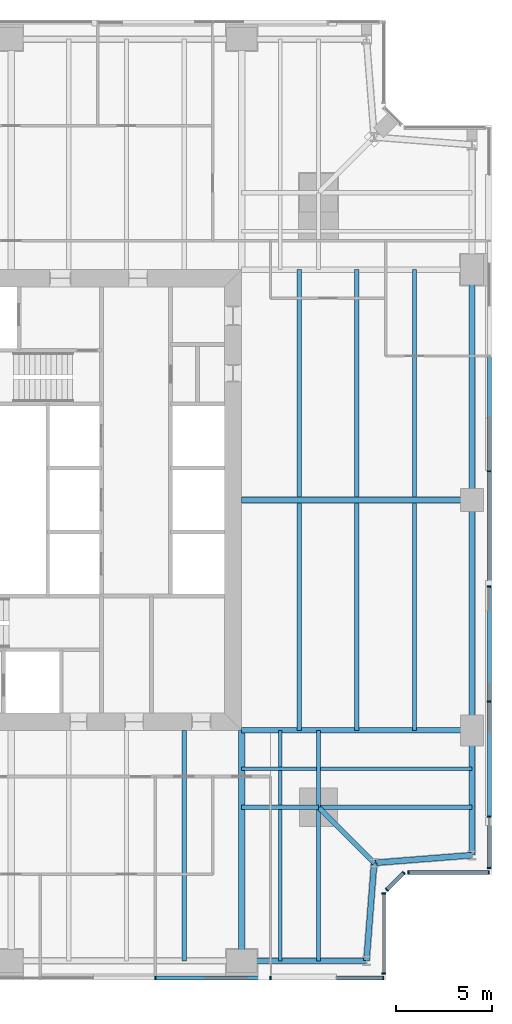
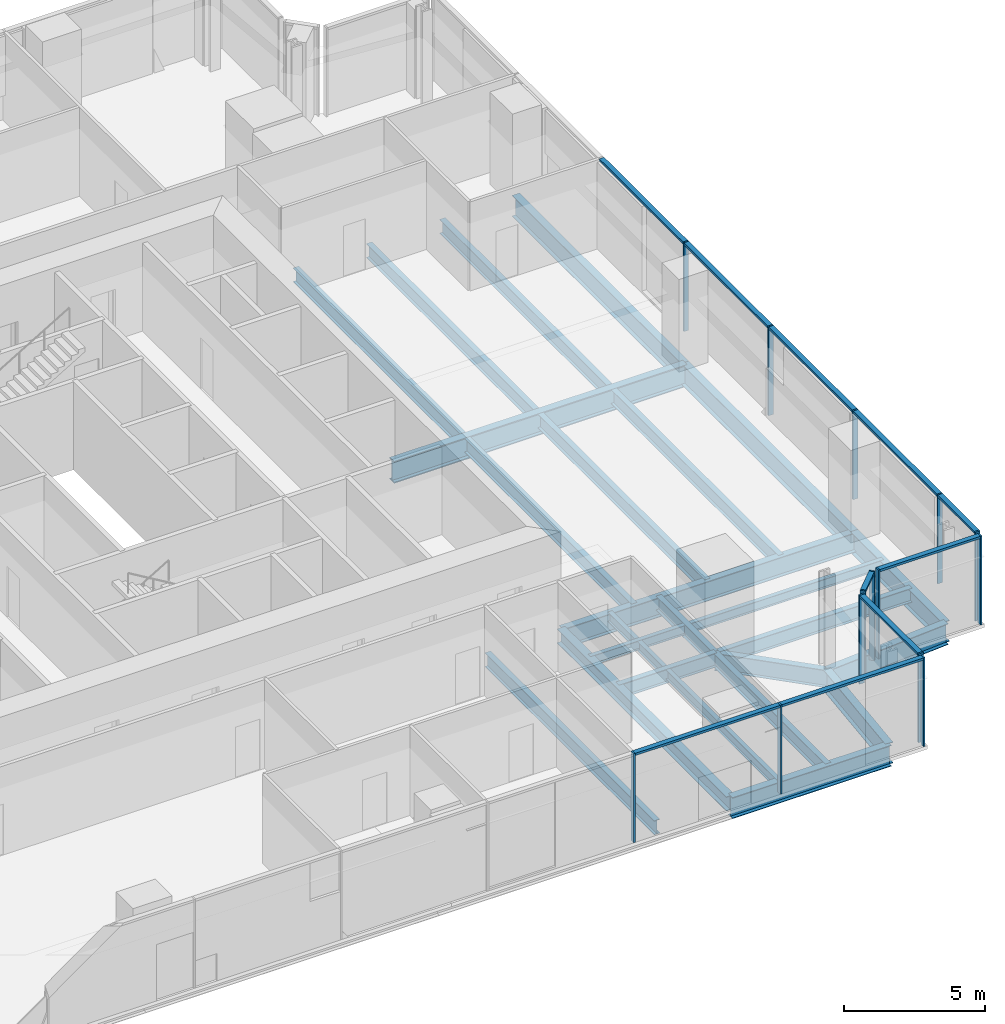
# One storey, part 5 of 14: 26 beams, 24 members, 5 elements without a shape of their own.
"""IFC4 building model written with IfcOpenShell, lengths in metres."""

from ifc_helpers import new_model, si_unit, direction, frame, origin, origin_2d, place, context, subcontext, project, spatial, rectangle, i_section, extrude, material, material_profile, profile_set, type_object, element, aggregate, save


model = new_model("IFC4")

# Units and contexts
model_context = context("Model", 3, precision=1e-05, world=origin(), true_north=direction((0.0, 1.0)))
body_context = subcontext(model_context, "Body", "Model", "MODEL_VIEW")
ifc_project = project(units=[si_unit("LENGTHUNIT", "METRE"), si_unit("AREAUNIT", "SQUARE_METRE"), si_unit("VOLUMEUNIT", "CUBIC_METRE"), si_unit("PLANEANGLEUNIT", "RADIAN"), si_unit("MASSUNIT", "GRAM", prefix="KILO")], contexts=[model_context])

# Site, building, storey
site_placement = place(None, origin())
site = spatial("IfcSite", under=ifc_project, at=site_placement, CompositionType="ELEMENT")
building_placement = place(site_placement, origin())
building = spatial("IfcBuilding", under=site, at=building_placement, Name="Fenwick Lantern Interchange", CompositionType="ELEMENT")
storey_placement = place(building_placement, frame((0.0, 0.0, 193.800048828125)))
storey = spatial("IfcBuildingStorey", under=building, at=storey_placement, Name="L45", CompositionType="ELEMENT", Elevation=193.800048828125)

# Beams
ifc_material_1 = material(Name="Steel ASTM A992 Grade 50", Category="steel")
ifc_material_profile_1 = material_profile(ifc_material_1, i_section(OverallWidth=0.3046875, OverallDepth=0.911865234375, WebThickness=0.015869140625, FlangeThickness=0.02392578125, at=origin_2d()), Name="W36X150")
ifc_profile_set_1 = profile_set([ifc_material_profile_1], Name="Steel ASTM A992 Grade 50")
beam_type_1 = type_object("IfcBeamType", Name="EDGE BEAM W36X150", PredefinedType="SPANDREL", material=ifc_profile_set_1)
beam_1_placement = place(storey_placement, frame((37.0, 1.0, -0.60595703125), z_axis=(1.0, 0.0, 0.0), x_axis=(0.0, 1.0, 0.0)))
element("IfcBeam", 1, at=beam_1_placement, inside=storey, type_object=beam_type_1, Name="L45/FR/S/EB4", PredefinedType="SPANDREL", context=body_context, shape_type="SweptSolid", body=[
    extrude(i_section(OverallWidth=0.3046875, OverallDepth=0.911865234375, WebThickness=0.015869140625, FlangeThickness=0.02392578125, at=origin_2d()), origin(), (0.0, 0.0, 1.0), 6.5),
])
for number, where, z_axis, x_axis, name in (
    (2, (43.5, 1.0, -0.60595703125), (0.078170784639, 0.99693998236, 0.0), (-0.99693998236, 0.078170784639, 0.0), "L45/FR/S/EBR1"),
    (3, (43.89990234375, 6.10009765625, -0.60595703125), (0.99693998236, 0.078170784639, 0.0), (-0.078170784639, 0.99693998236, 0.0), "L45/FR/S/EBR2"),
):
    element("IfcBeam", number, at=place(storey_placement, frame(where, z_axis=z_axis, x_axis=x_axis)), inside=storey, type_object=beam_type_1, Name=name, PredefinedType="SPANDREL", context=body_context, shape_type="SweptSolid", body=[
        extrude(i_section(OverallWidth=0.3046875, OverallDepth=0.911865234375, WebThickness=0.015869140625, FlangeThickness=0.02392578125, at=origin_2d()), origin(), (0.0, 0.0, 1.0), 5.11572265625),
    ])
beam_2_placement = place(storey_placement, frame((49.0, 6.5, -0.60595703125), z_axis=(0.0, 1.0, 0.0), x_axis=(-1.0, 0.0, 0.0)))
element("IfcBeam", 4, at=beam_2_placement, inside=storey, type_object=beam_type_1, Name="L45/FR/E/EB1", PredefinedType="SPANDREL", context=body_context, shape_type="SweptSolid", body=[
    extrude(i_section(OverallWidth=0.3046875, OverallDepth=0.911865234375, WebThickness=0.015869140625, FlangeThickness=0.02392578125, at=origin_2d()), origin(), (0.0, 0.0, 1.0), 6.5),
])
for number, where, z_axis, x_axis, name in (
    (5, (49.0, 13.0, -0.60595703125), (0.0, 1.0, 0.0), (-1.0, 0.0, 0.0), "L45/FR/E/EB2"),
    (6, (49.0, 25.0, -0.60595703125), (0.0, 1.0, 0.0), (-1.0, 0.0, 0.0), "L45/FR/E/EB3"),
):
    element("IfcBeam", number, at=place(storey_placement, frame(where, z_axis=z_axis, x_axis=x_axis)), inside=storey, type_object=beam_type_1, Name=name, PredefinedType="SPANDREL", context=body_context, shape_type="SweptSolid", body=[
        extrude(i_section(OverallWidth=0.3046875, OverallDepth=0.911865234375, WebThickness=0.015869140625, FlangeThickness=0.02392578125, at=origin_2d()), origin(), (0.0, 0.0, 1.0), 12.0),
    ])
ifc_material_profile_2 = material_profile(ifc_material_1, i_section(OverallWidth=0.22900390625, OverallDepth=0.612060546875, WebThickness=0.011962890625, FlangeThickness=0.01953125, at=origin_2d()), Name="W24X84")
ifc_profile_set_2 = profile_set([ifc_material_profile_2], Name="Steel ASTM A992 Grade 50")
beam_type_2 = type_object("IfcBeamType", Name="FLOOR BEAM W24X84", PredefinedType="BEAM", material=ifc_profile_set_2)
beam_3_placement = place(storey_placement, frame((34.0, 1.0, -0.4560546875), z_axis=(0.0, 1.0, 0.0), x_axis=(-1.0, 0.0, 0.0)))
element("IfcBeam", 7, at=beam_3_placement, inside=storey, type_object=beam_type_2, Name="L45/FR/S/R08", PredefinedType="BEAM", context=body_context, shape_type="SweptSolid", body=[
    extrude(i_section(OverallWidth=0.22900390625, OverallDepth=0.612060546875, WebThickness=0.011962890625, FlangeThickness=0.01953125, at=origin_2d()), origin(), (0.0, 0.0, 1.0), 12.0),
])
for number, where, z_axis, x_axis, name in (
    (8, (46.0, 13.0, -0.4560546875), (0.0, 1.0, 0.0), (-1.0, 0.0, 0.0), "L45/FR/E/B01"),
    (9, (43.0, 13.0, -0.4560546875), (0.0, 1.0, 0.0), (-1.0, 0.0, 0.0), "L45/FR/E/B02"),
    (10, (40.0, 13.0, -0.4560546875), (0.0, 1.0, 0.0), (-1.0, 0.0, 0.0), "L45/FR/E/B03"),
    (11, (46.0, 25.155029296875, -0.4560546875), (0.0, 1.0, 0.0), (-1.0, 0.0, 0.0), "L45/FR/E/B04"),
    (12, (43.0, 25.155029296875, -0.4560546875), (0.0, 1.0, 0.0), (-1.0, 0.0, 0.0), "L45/FR/E/B05"),
    (13, (40.0, 25.155029296875, -0.4560546875), (0.0, 1.0, 0.0), (-1.0, 0.0, 0.0), "L45/FR/E/B06"),
):
    element("IfcBeam", number, at=place(storey_placement, frame(where, z_axis=z_axis, x_axis=x_axis)), inside=storey, type_object=beam_type_2, Name=name, PredefinedType="BEAM", context=body_context, shape_type="SweptSolid", body=[
        extrude(i_section(OverallWidth=0.22900390625, OverallDepth=0.612060546875, WebThickness=0.011962890625, FlangeThickness=0.01953125, at=origin_2d()), origin(), (0.0, 0.0, 1.0), 11.844970703125),
    ])
ifc_material_profile_3 = material_profile(ifc_material_1, i_section(OverallWidth=0.177734375, OverallDepth=0.406494140625, WebThickness=0.0078125, FlangeThickness=0.012939453125, at=origin_2d()), Name="W16X40")
ifc_profile_set_3 = profile_set([ifc_material_profile_3], Name="Steel ASTM A992 Grade 50")
beam_type_3 = type_object("IfcBeamType", Name="INFILL BEAM W16X40", PredefinedType="JOIST", material=ifc_profile_set_3)
beam_4_placement = place(storey_placement, frame((49.0, 11.0, -0.353271484375), z_axis=(-1.0, 0.0, 0.0), x_axis=(0.0, -1.0, 0.0)))
element("IfcBeam", 14, at=beam_4_placement, inside=storey, type_object=beam_type_3, Name="L45/FR/E/J1", PredefinedType="JOIST", context=body_context, shape_type="SweptSolid", body=[
    extrude(i_section(OverallWidth=0.177734375, OverallDepth=0.406494140625, WebThickness=0.0078125, FlangeThickness=0.012939453125, at=origin_2d()), origin(), (0.0, 0.0, 1.0), 7.885498046875),
])
beam_5_placement = place(storey_placement, frame((40.885498046875, 11.0, -0.353271484375), z_axis=(-1.0, 0.0, 0.0), x_axis=(0.0, -1.0, 0.0)))
element("IfcBeam", 15, at=beam_5_placement, inside=storey, type_object=beam_type_3, Name="L45/FR/E/J2", PredefinedType="JOIST", context=body_context, shape_type="SweptSolid", body=[
    extrude(i_section(OverallWidth=0.177734375, OverallDepth=0.406494140625, WebThickness=0.0078125, FlangeThickness=0.012939453125, at=origin_2d()), origin(), (0.0, 0.0, 1.0), 3.885498046875),
])
beam_6_placement = place(storey_placement, frame((39.0, 1.0, -0.353271484375), z_axis=(0.0, 1.0, 0.0), x_axis=(-1.0, 0.0, 0.0)))
element("IfcBeam", 16, at=beam_6_placement, inside=storey, type_object=beam_type_3, Name="L45/FR/E/J3", PredefinedType="JOIST", context=body_context, shape_type="SweptSolid", body=[
    extrude(i_section(OverallWidth=0.177734375, OverallDepth=0.406494140625, WebThickness=0.0078125, FlangeThickness=0.012939453125, at=origin_2d()), origin(), (0.0, 0.0, 1.0), 7.885498046875),
])
beam_7_placement = place(storey_placement, frame((39.0, 9.114501953125, -0.353271484375), z_axis=(0.0, 1.0, 0.0), x_axis=(-1.0, 0.0, 0.0)))
element("IfcBeam", 17, at=beam_7_placement, inside=storey, type_object=beam_type_3, Name="L45/FR/E/J4", PredefinedType="JOIST", context=body_context, shape_type="SweptSolid", body=[
    extrude(i_section(OverallWidth=0.177734375, OverallDepth=0.406494140625, WebThickness=0.0078125, FlangeThickness=0.012939453125, at=origin_2d()), origin(), (0.0, 0.0, 1.0), 1.796630859375),
])
beam_8_placement = place(storey_placement, frame((39.0, 11.0888671875, -0.353271484375), z_axis=(0.0, 1.0, 0.0), x_axis=(-1.0, 0.0, 0.0)))
element("IfcBeam", 18, at=beam_8_placement, inside=storey, type_object=beam_type_3, Name="L45/FR/E/J5", PredefinedType="JOIST", context=body_context, shape_type="SweptSolid", body=[
    extrude(i_section(OverallWidth=0.177734375, OverallDepth=0.406494140625, WebThickness=0.0078125, FlangeThickness=0.012939453125, at=origin_2d()), origin(), (0.0, 0.0, 1.0), 1.9111328125),
])
ifc_material_profile_4 = material_profile(ifc_material_1, i_section(OverallWidth=0.22900390625, OverallDepth=0.612060546875, WebThickness=0.011962890625, FlangeThickness=0.01953125, at=origin_2d()), Name="W24X84")
ifc_profile_set_4 = profile_set([ifc_material_profile_4], Name="Steel ASTM A992 Grade 50")
beam_type_4 = type_object("IfcBeamType", Name="MEGA COLUMN BEAM W24X84", PredefinedType="BEAM", material=ifc_profile_set_4)
for number, where, z_axis, x_axis, name in (
    (19, (41.0, 9.0, -0.4560546875), (1.0, 0.0, 0.0), (0.0, 1.0, 0.0), "L45/FR/E/MB1"),
    (20, (41.0, 9.0, -0.4560546875), (0.0, -1.0, 0.0), (1.0, 0.0, 0.0), "L45/FR/E/MB2"),
):
    element("IfcBeam", number, at=place(storey_placement, frame(where, z_axis=z_axis, x_axis=x_axis)), inside=storey, type_object=beam_type_4, Name=name, PredefinedType="BEAM", context=body_context, shape_type="SweptSolid", body=[
        extrude(i_section(OverallWidth=0.22900390625, OverallDepth=0.612060546875, WebThickness=0.011962890625, FlangeThickness=0.01953125, at=origin_2d()), origin(), (0.0, 0.0, 1.0), 8.0),
    ])
for number, where, z_axis, x_axis, name in (
    (21, (41.0, 9.0, -0.4560546875), (0.0, 1.0, 0.0), (-1.0, 0.0, 0.0), "L45/FR/E/MB3"),
    (22, (41.0, 9.0, -0.4560546875), (-1.0, 0.0, 0.0), (0.0, -1.0, 0.0), "L45/FR/E/MB4"),
):
    element("IfcBeam", number, at=place(storey_placement, frame(where, z_axis=z_axis, x_axis=x_axis)), inside=storey, type_object=beam_type_4, Name=name, PredefinedType="BEAM", context=body_context, shape_type="SweptSolid", body=[
        extrude(i_section(OverallWidth=0.22900390625, OverallDepth=0.612060546875, WebThickness=0.011962890625, FlangeThickness=0.01953125, at=origin_2d()), origin(), (0.0, 0.0, 1.0), 4.0),
    ])
ifc_material_profile_5 = material_profile(ifc_material_1, i_section(OverallWidth=0.32763671875, OverallDepth=0.622314453125, WebThickness=0.015380859375, FlangeThickness=0.0244140625, at=origin_2d()), Name="W24X131")
ifc_profile_set_5 = profile_set([ifc_material_profile_5], Name="Steel ASTM A992 Grade 50")
beam_type_5 = type_object("IfcBeamType", Name="MOMENT-CONNECTED GIRDER W24X131", PredefinedType="BEAM", material=ifc_profile_set_5)
beam_9_placement = place(storey_placement, frame((37.0, 1.0, -0.461181640625), z_axis=(0.0, 1.0, 0.0), x_axis=(-1.0, 0.0, 0.0)))
element("IfcBeam", 23, at=beam_9_placement, inside=storey, type_object=beam_type_5, Name="L45/FR/S/R09", PredefinedType="BEAM", context=body_context, shape_type="SweptSolid", body=[
    extrude(i_section(OverallWidth=0.32763671875, OverallDepth=0.622314453125, WebThickness=0.015380859375, FlangeThickness=0.0244140625, at=origin_2d()), origin(), (0.0, 0.0, 1.0), 12.0),
])
ifc_material_profile_6 = material_profile(ifc_material_1, i_section(OverallWidth=0.2919921875, OverallDepth=0.845703125, WebThickness=0.015380859375, FlangeThickness=0.0244140625, at=origin_2d()), Name="W33X141")
ifc_profile_set_6 = profile_set([ifc_material_profile_6], Name="Steel ASTM A992 Grade 50")
beam_type_6 = type_object("IfcBeamType", Name="MOMENT-CONNECTED GIRDER W33X141", PredefinedType="BEAM", material=ifc_profile_set_6)
beam_10_placement = place(storey_placement, frame((49.0, 13.0, -0.572998046875), z_axis=(-1.0, 0.0, 0.0), x_axis=(0.0, -1.0, 0.0)))
element("IfcBeam", 24, at=beam_10_placement, inside=storey, type_object=beam_type_6, Name="L45/FR/E/R01", PredefinedType="BEAM", context=body_context, shape_type="SweptSolid", body=[
    extrude(i_section(OverallWidth=0.2919921875, OverallDepth=0.845703125, WebThickness=0.015380859375, FlangeThickness=0.0244140625, at=origin_2d()), origin(), (0.0, 0.0, 1.0), 12.0),
])
ifc_material_profile_7 = material_profile(ifc_material_1, i_section(OverallWidth=0.309814453125, OverallDepth=0.949951171875, WebThickness=0.0244140625, FlangeThickness=0.0439453125, at=origin_2d()), Name="W36X256")
ifc_profile_set_7 = profile_set([ifc_material_profile_7], Name="Steel ASTM A992 Grade 50")
beam_type_7 = type_object("IfcBeamType", Name="MOMENT-CONNECTED GIRDER W36X256", PredefinedType="BEAM", material=ifc_profile_set_7)
beam_11_placement = place(storey_placement, frame((49.0, 25.0, -0.625), z_axis=(-1.0, 0.0, 0.0), x_axis=(0.0, -1.0, 0.0)))
element("IfcBeam", 25, at=beam_11_placement, inside=storey, type_object=beam_type_7, Name="L45/FR/E/R02", PredefinedType="BEAM", context=body_context, shape_type="SweptSolid", body=[
    extrude(i_section(OverallWidth=0.309814453125, OverallDepth=0.949951171875, WebThickness=0.0244140625, FlangeThickness=0.0439453125, at=origin_2d()), origin(), (0.0, 0.0, 1.0), 12.0),
])
ifc_material_profile_8 = material_profile(ifc_material_1, i_section(OverallWidth=0.2666015625, OverallDepth=0.7568359375, WebThickness=0.013916015625, FlangeThickness=0.019287109375, at=origin_2d()), Name="W30X108")
ifc_profile_set_8 = profile_set([ifc_material_profile_8], Name="Steel ASTM A992 Grade 50")
beam_type_8 = type_object("IfcBeamType", Name="NOTCH BEAM W30X108", PredefinedType="BEAM", material=ifc_profile_set_8)
beam_12_placement = place(storey_placement, frame((41.0, 9.0, -0.528564453125), z_axis=(0.707106781187, -0.707106781187, 0.0), x_axis=(0.707106781187, 0.707106781187, 0.0)))
element("IfcBeam", 26, at=beam_12_placement, inside=storey, type_object=beam_type_8, Name="L45/FR/E/TG", PredefinedType="BEAM", context=body_context, shape_type="SweptSolid", body=[
    extrude(i_section(OverallWidth=0.2666015625, OverallDepth=0.7568359375, WebThickness=0.013916015625, FlangeThickness=0.019287109375, at=origin_2d()), origin(), (0.0, 0.0, 1.0), 4.10107421875),
])

# Curtain wall, members
ifc_material_2 = material(Name="Aluminium curtain wall frame", Category="aluminium")
curtain_wall_type = type_object("IfcCurtainWallType", Name="OFFICE CURTAIN WALL", PredefinedType="USERDEFINED", material=ifc_material_2)
curtain_wall_1_placement = place(storey_placement, origin())
curtain_wall_1 = element("IfcCurtainWall", 27, at=curtain_wall_1_placement, inside=storey, type_object=curtain_wall_type, Name="Office curtain wall 01", ObjectType="OFFICE CURTAIN WALL", PredefinedType="USERDEFINED")
ifc_material_3 = material(Name="Aluminium extrusion", Category="aluminium")
ifc_material_profile_9 = material_profile(ifc_material_3, rectangle(XDim=0.199951171875, YDim=0.06494140625, at=origin_2d()), Name="OFFICE CURTAIN WALL MULLION 65 X 200")
ifc_profile_set_9 = profile_set([ifc_material_profile_9], Name="Aluminium extrusion")
member_type_1 = type_object("IfcMemberType", Name="OFFICE CURTAIN WALL MULLION 65 X 200", PredefinedType="MULLION", material=ifc_profile_set_9)
member_1_placement = place(storey_placement, frame((32.5, 0.10009765625, 0.0), z_axis=(0.0, 0.0, 1.0), x_axis=(0.0, 1.0, 0.0)))
member_1 = element("IfcMember", 28, at=member_1_placement, type_object=member_type_1, Name="L45/CW/01/M05", PredefinedType="MULLION", context=body_context, shape_type="SweptSolid", body=[
    extrude(rectangle(XDim=0.199951171875, YDim=0.06494140625, at=origin_2d()), origin(), (0.0, 0.0, 1.0), 3.849853515625),
])
member_2_placement = place(storey_placement, frame((38.5, 0.10009765625, 0.0), z_axis=(0.0, 0.0, 1.0), x_axis=(0.0, 1.0, 0.0)))
member_2 = element("IfcMember", 29, at=member_2_placement, type_object=member_type_1, Name="L45/CW/01/M06", PredefinedType="MULLION", context=body_context, shape_type="SweptSolid", body=[
    extrude(rectangle(XDim=0.199951171875, YDim=0.06494140625, at=origin_2d()), origin(), (0.0, 0.0, 1.0), 3.849853515625),
])
member_3_placement = place(storey_placement, frame((44.367431640625, 0.10009765625, 0.0), z_axis=(0.0, 0.0, 1.0), x_axis=(0.0, 1.0, 0.0)))
member_3 = element("IfcMember", 30, at=member_3_placement, type_object=member_type_1, Name="L45/CW/01/M07", PredefinedType="MULLION", context=body_context, shape_type="SweptSolid", body=[
    extrude(rectangle(XDim=0.199951171875, YDim=0.06494140625, at=origin_2d()), origin(), (0.0, 0.0, 1.0), 3.849853515625),
])

curtain_wall_2_placement = place(storey_placement, origin())
curtain_wall_2 = element("IfcCurtainWall", 31, at=curtain_wall_2_placement, inside=storey, type_object=curtain_wall_type, Name="Office curtain wall 02", ObjectType="OFFICE CURTAIN WALL", PredefinedType="USERDEFINED")
member_4_placement = place(storey_placement, frame((44.39990234375, 0.33251953125, 0.0), z_axis=(0.0, 0.0, 1.0), x_axis=(-1.0, 0.0, 0.0)))
member_4 = element("IfcMember", 32, at=member_4_placement, type_object=member_type_1, Name="L45/CW/02/M00", PredefinedType="MULLION", context=body_context, shape_type="SweptSolid", body=[
    extrude(rectangle(XDim=0.199951171875, YDim=0.06494140625, at=origin_2d()), origin(), (0.0, 0.0, 1.0), 3.849853515625),
])
member_5_placement = place(storey_placement, frame((44.39990234375, 4.509033203125, 0.0), z_axis=(0.0, 0.0, 1.0), x_axis=(-1.0, 0.0, 0.0)))
member_5 = element("IfcMember", 33, at=member_5_placement, type_object=member_type_1, Name="L45/CW/02/M01", PredefinedType="MULLION", context=body_context, shape_type="SweptSolid", body=[
    extrude(rectangle(XDim=0.199951171875, YDim=0.06494140625, at=origin_2d()), origin(), (0.0, 0.0, 1.0), 3.849853515625),
])

curtain_wall_3_placement = place(storey_placement, origin())
curtain_wall_3 = element("IfcCurtainWall", 34, at=curtain_wall_3_placement, inside=storey, type_object=curtain_wall_type, Name="Office curtain wall 03", ObjectType="OFFICE CURTAIN WALL", PredefinedType="USERDEFINED")
member_6_placement = place(storey_placement, frame((44.564453125, 4.705810546875, 0.0), z_axis=(0.0, 0.0, 1.0), x_axis=(-0.707106781187, 0.707106781187, 0.0)))
member_6 = element("IfcMember", 35, at=member_6_placement, type_object=member_type_1, Name="L45/CW/03/M00", PredefinedType="MULLION", context=body_context, shape_type="SweptSolid", body=[
    extrude(rectangle(XDim=0.199951171875, YDim=0.06494140625, at=origin_2d()), origin(), (0.0, 0.0, 1.0), 3.849853515625),
])
member_7_placement = place(storey_placement, frame((45.435546875, 5.576904296875, 0.0), z_axis=(0.0, 0.0, 1.0), x_axis=(-0.707106781187, 0.707106781187, 0.0)))
member_7 = element("IfcMember", 36, at=member_7_placement, type_object=member_type_1, Name="L45/CW/03/M01", PredefinedType="MULLION", context=body_context, shape_type="SweptSolid", body=[
    extrude(rectangle(XDim=0.199951171875, YDim=0.06494140625, at=origin_2d()), origin(), (0.0, 0.0, 1.0), 3.849853515625),
])

curtain_wall_4_placement = place(storey_placement, origin())
curtain_wall_4 = element("IfcCurtainWall", 37, at=curtain_wall_4_placement, inside=storey, type_object=curtain_wall_type, Name="Office curtain wall 04", ObjectType="OFFICE CURTAIN WALL", PredefinedType="USERDEFINED")
member_8_placement = place(storey_placement, frame((45.691162109375, 5.60009765625, 0.0), z_axis=(0.0, 0.0, 1.0), x_axis=(0.0, 1.0, 0.0)))
member_8 = element("IfcMember", 38, at=member_8_placement, type_object=member_type_1, Name="L45/CW/04/M00", PredefinedType="MULLION", context=body_context, shape_type="SweptSolid", body=[
    extrude(rectangle(XDim=0.199951171875, YDim=0.06494140625, at=origin_2d()), origin(), (0.0, 0.0, 1.0), 3.849853515625),
])
member_9_placement = place(storey_placement, frame((49.867431640625, 5.60009765625, 0.0), z_axis=(0.0, 0.0, 1.0), x_axis=(0.0, 1.0, 0.0)))
member_9 = element("IfcMember", 39, at=member_9_placement, type_object=member_type_1, Name="L45/CW/04/M01", PredefinedType="MULLION", context=body_context, shape_type="SweptSolid", body=[
    extrude(rectangle(XDim=0.199951171875, YDim=0.06494140625, at=origin_2d()), origin(), (0.0, 0.0, 1.0), 3.849853515625),
])

curtain_wall_5_placement = place(storey_placement, origin())
curtain_wall_5 = element("IfcCurtainWall", 40, at=curtain_wall_5_placement, inside=storey, type_object=curtain_wall_type, Name="Office curtain wall 05", ObjectType="OFFICE CURTAIN WALL", PredefinedType="USERDEFINED")
member_10_placement = place(storey_placement, frame((49.89990234375, 5.83251953125, 0.0), z_axis=(0.0, 0.0, 1.0), x_axis=(-1.0, 0.0, 0.0)))
member_10 = element("IfcMember", 41, at=member_10_placement, type_object=member_type_1, Name="L45/CW/05/M00", PredefinedType="MULLION", context=body_context, shape_type="SweptSolid", body=[
    extrude(rectangle(XDim=0.199951171875, YDim=0.06494140625, at=origin_2d()), origin(), (0.0, 0.0, 1.0), 3.849853515625),
])
member_11_placement = place(storey_placement, frame((49.89990234375, 8.5, 0.0), z_axis=(0.0, 0.0, 1.0), x_axis=(-1.0, 0.0, 0.0)))
member_11 = element("IfcMember", 42, at=member_11_placement, type_object=member_type_1, Name="L45/CW/05/M01", PredefinedType="MULLION", context=body_context, shape_type="SweptSolid", body=[
    extrude(rectangle(XDim=0.199951171875, YDim=0.06494140625, at=origin_2d()), origin(), (0.0, 0.0, 1.0), 3.849853515625),
])
member_12_placement = place(storey_placement, frame((49.89990234375, 14.5, 0.0), z_axis=(0.0, 0.0, 1.0), x_axis=(-1.0, 0.0, 0.0)))
member_12 = element("IfcMember", 43, at=member_12_placement, type_object=member_type_1, Name="L45/CW/05/M02", PredefinedType="MULLION", context=body_context, shape_type="SweptSolid", body=[
    extrude(rectangle(XDim=0.199951171875, YDim=0.06494140625, at=origin_2d()), origin(), (0.0, 0.0, 1.0), 3.849853515625),
])
member_13_placement = place(storey_placement, frame((49.89990234375, 20.5, 0.0), z_axis=(0.0, 0.0, 1.0), x_axis=(-1.0, 0.0, 0.0)))
member_13 = element("IfcMember", 44, at=member_13_placement, type_object=member_type_1, Name="L45/CW/05/M03", PredefinedType="MULLION", context=body_context, shape_type="SweptSolid", body=[
    extrude(rectangle(XDim=0.199951171875, YDim=0.06494140625, at=origin_2d()), origin(), (0.0, 0.0, 1.0), 3.849853515625),
])
member_14_placement = place(storey_placement, frame((49.89990234375, 26.5, 0.0), z_axis=(0.0, 0.0, 1.0), x_axis=(-1.0, 0.0, 0.0)))
member_14 = element("IfcMember", 45, at=member_14_placement, type_object=member_type_1, Name="L45/CW/05/M04", PredefinedType="MULLION", context=body_context, shape_type="SweptSolid", body=[
    extrude(rectangle(XDim=0.199951171875, YDim=0.06494140625, at=origin_2d()), origin(), (0.0, 0.0, 1.0), 3.849853515625),
])

# Member
ifc_material_profile_10 = material_profile(ifc_material_3, rectangle(XDim=0.199951171875, YDim=0.10009765625, at=origin_2d()), Name="OFFICE CURTAIN WALL TRANSOM 100 X 200")
ifc_profile_set_10 = profile_set([ifc_material_profile_10], Name="Aluminium extrusion")
member_type_2 = type_object("IfcMemberType", Name="OFFICE CURTAIN WALL TRANSOM 100 X 200", PredefinedType="MULLION", material=ifc_profile_set_10)
member_15_placement = place(storey_placement, frame((32.532470703125, 0.10009765625, 3.800048828125), z_axis=(1.0, 0.0, 0.0), x_axis=(0.0, 1.0, 0.0)))
member_15 = element("IfcMember", 46, at=member_15_placement, type_object=member_type_2, Name="L45/CW/01/T05", PredefinedType="MULLION", context=body_context, shape_type="SweptSolid", body=[
    extrude(rectangle(XDim=0.199951171875, YDim=0.10009765625, at=origin_2d()), origin(), (0.0, 0.0, 1.0), 5.93505859375),
])

member_16_placement = place(storey_placement, frame((38.532470703125, 0.10009765625, 3.800048828125), z_axis=(1.0, 0.0, 0.0), x_axis=(0.0, 1.0, 0.0)))
member_16 = element("IfcMember", 47, at=member_16_placement, type_object=member_type_2, Name="L45/CW/01/T06", PredefinedType="MULLION", context=body_context, shape_type="SweptSolid", body=[
    extrude(rectangle(XDim=0.199951171875, YDim=0.10009765625, at=origin_2d()), origin(), (0.0, 0.0, 1.0), 5.802490234375),
])

aggregate(curtain_wall_1, [member_1, member_2, member_3, member_15, member_16])

member_17_placement = place(storey_placement, frame((44.39990234375, 0.364990234375, 3.800048828125), z_axis=(0.0, 1.0, 0.0), x_axis=(-1.0, 0.0, 0.0)))
member_17 = element("IfcMember", 48, at=member_17_placement, type_object=member_type_2, Name="L45/CW/02/T00", PredefinedType="MULLION", context=body_context, shape_type="SweptSolid", body=[
    extrude(rectangle(XDim=0.199951171875, YDim=0.10009765625, at=origin_2d()), origin(), (0.0, 0.0, 1.0), 4.111328125),
])

aggregate(curtain_wall_2, [member_4, member_5, member_17])

member_18_placement = place(storey_placement, frame((44.58740234375, 4.728759765625, 3.800048828125), z_axis=(0.707106781187, 0.707106781187, 0.0), x_axis=(-0.707106781187, 0.707106781187, 0.0)))
member_18 = element("IfcMember", 49, at=member_18_placement, type_object=member_type_2, Name="L45/CW/03/T00", PredefinedType="MULLION", context=body_context, shape_type="SweptSolid", body=[
    extrude(rectangle(XDim=0.199951171875, YDim=0.10009765625, at=origin_2d()), origin(), (0.0, 0.0, 1.0), 1.1669921875),
])

aggregate(curtain_wall_3, [member_6, member_7, member_18])

member_19_placement = place(storey_placement, frame((45.7236328125, 5.60009765625, 3.800048828125), z_axis=(1.0, 0.0, 0.0), x_axis=(0.0, 1.0, 0.0)))
member_19 = element("IfcMember", 50, at=member_19_placement, type_object=member_type_2, Name="L45/CW/04/T00", PredefinedType="MULLION", context=body_context, shape_type="SweptSolid", body=[
    extrude(rectangle(XDim=0.199951171875, YDim=0.10009765625, at=origin_2d()), origin(), (0.0, 0.0, 1.0), 4.111328125),
])

aggregate(curtain_wall_4, [member_8, member_9, member_19])

member_20_placement = place(storey_placement, frame((49.89990234375, 5.864990234375, 3.800048828125), z_axis=(0.0, 1.0, 0.0), x_axis=(-1.0, 0.0, 0.0)))
member_20 = element("IfcMember", 51, at=member_20_placement, type_object=member_type_2, Name="L45/CW/05/T00", PredefinedType="MULLION", context=body_context, shape_type="SweptSolid", body=[
    extrude(rectangle(XDim=0.199951171875, YDim=0.10009765625, at=origin_2d()), origin(), (0.0, 0.0, 1.0), 2.6025390625),
])

member_21_placement = place(storey_placement, frame((49.89990234375, 8.532470703125, 3.800048828125), z_axis=(0.0, 1.0, 0.0), x_axis=(-1.0, 0.0, 0.0)))
member_21 = element("IfcMember", 52, at=member_21_placement, type_object=member_type_2, Name="L45/CW/05/T01", PredefinedType="MULLION", context=body_context, shape_type="SweptSolid", body=[
    extrude(rectangle(XDim=0.199951171875, YDim=0.10009765625, at=origin_2d()), origin(), (0.0, 0.0, 1.0), 5.93505859375),
])

member_22_placement = place(storey_placement, frame((49.89990234375, 14.532470703125, 3.800048828125), z_axis=(0.0, 1.0, 0.0), x_axis=(-1.0, 0.0, 0.0)))
member_22 = element("IfcMember", 53, at=member_22_placement, type_object=member_type_2, Name="L45/CW/05/T02", PredefinedType="MULLION", context=body_context, shape_type="SweptSolid", body=[
    extrude(rectangle(XDim=0.199951171875, YDim=0.10009765625, at=origin_2d()), origin(), (0.0, 0.0, 1.0), 5.93505859375),
])

member_23_placement = place(storey_placement, frame((49.89990234375, 20.532470703125, 3.800048828125), z_axis=(0.0, 1.0, 0.0), x_axis=(-1.0, 0.0, 0.0)))
member_23 = element("IfcMember", 54, at=member_23_placement, type_object=member_type_2, Name="L45/CW/05/T03", PredefinedType="MULLION", context=body_context, shape_type="SweptSolid", body=[
    extrude(rectangle(XDim=0.199951171875, YDim=0.10009765625, at=origin_2d()), origin(), (0.0, 0.0, 1.0), 5.93505859375),
])

member_24_placement = place(storey_placement, frame((49.89990234375, 26.532470703125, 3.800048828125), z_axis=(0.0, 1.0, 0.0), x_axis=(-1.0, 0.0, 0.0)))
member_24 = element("IfcMember", 55, at=member_24_placement, type_object=member_type_2, Name="L45/CW/05/T04", PredefinedType="MULLION", context=body_context, shape_type="SweptSolid", body=[
    extrude(rectangle(XDim=0.199951171875, YDim=0.10009765625, at=origin_2d()), origin(), (0.0, 0.0, 1.0), 5.93505859375),
])

aggregate(curtain_wall_5, [member_10, member_11, member_12, member_13, member_14, member_20, member_21, member_22, member_23, member_24])

save(model, "model.ifc")
